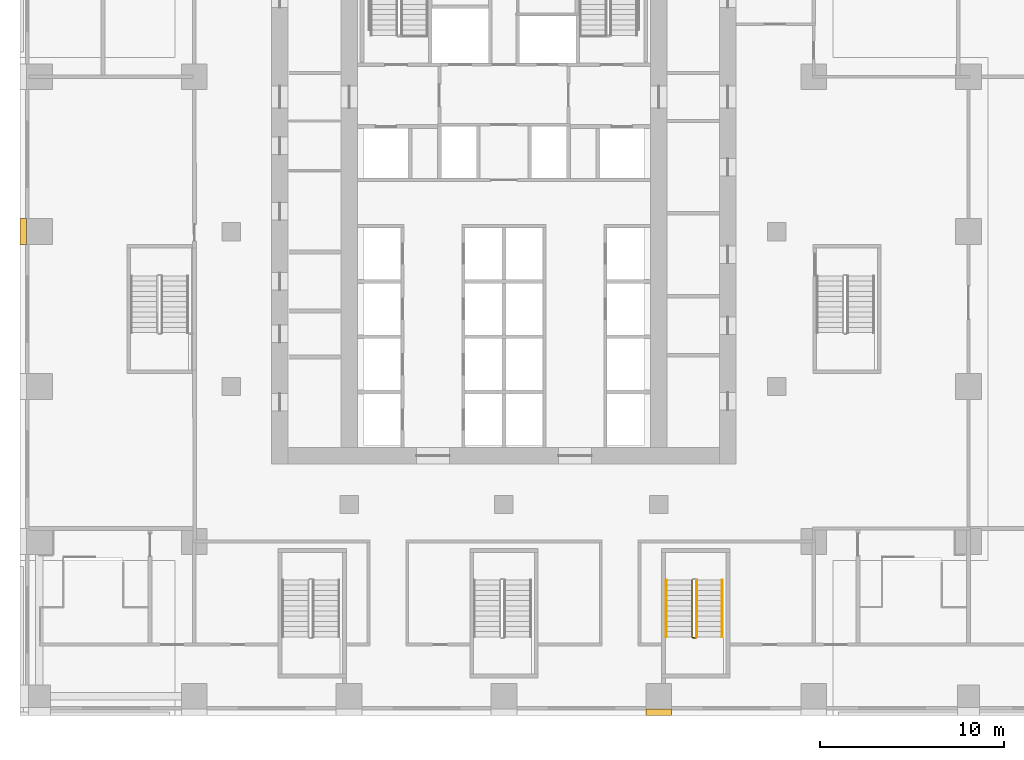
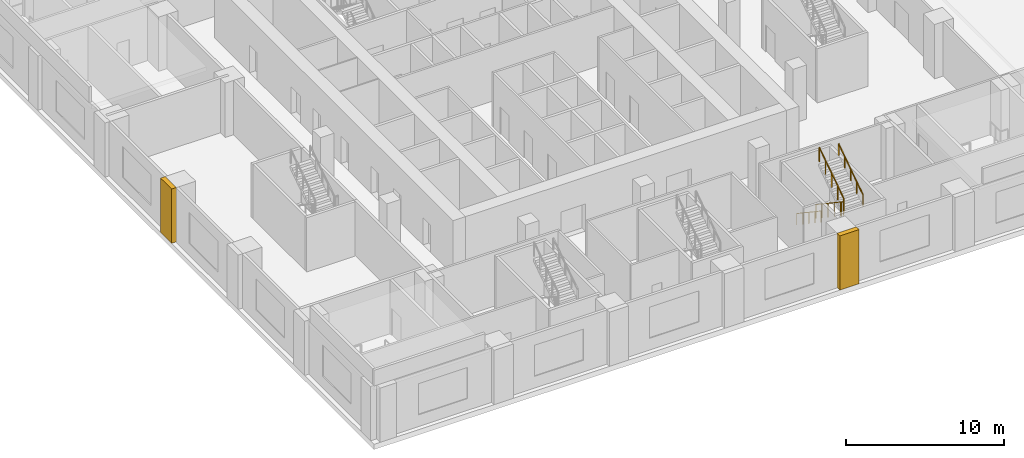
# One storey, part 12 of 16: 4 railings, 2 coverings.
"""IFC4 building model written with IfcOpenShell, lengths in metres."""

from ifc_helpers import new_model, si_unit, direction, frame, origin, origin_2d, place, context, subcontext, project, spatial, polyline, rectangle, outline, extrude, material, type_object, element, save


model = new_model("IFC4")

# Units and contexts
model_context = context("Model", 3, precision=1e-05, world=origin(), true_north=direction((0.0, 1.0)))
body_context = subcontext(model_context, "Body", "Model", "MODEL_VIEW")
ifc_project = project(units=[si_unit("LENGTHUNIT", "METRE"), si_unit("AREAUNIT", "SQUARE_METRE"), si_unit("VOLUMEUNIT", "CUBIC_METRE"), si_unit("PLANEANGLEUNIT", "RADIAN"), si_unit("MASSUNIT", "GRAM", prefix="KILO")], contexts=[model_context])

# Site, building, storey
site_placement = place(None, origin())
site = spatial("IfcSite", under=ifc_project, at=site_placement, CompositionType="ELEMENT")
building_placement = place(site_placement, origin())
building = spatial("IfcBuilding", under=site, at=building_placement, Name="Vermilion Ogive Tower", CompositionType="ELEMENT")
storey_placement = place(building_placement, frame((0.0, 0.0, 30.0)))
storey = spatial("IfcBuildingStorey", under=building, at=storey_placement, Name="L05", CompositionType="ELEMENT", Elevation=30.0)

# Railings
ifc_material_1 = material(Name="Steel S355 painted", Category="steel")
railing_type_1 = type_object("IfcRailingType", Name="Stair guard 1100", PredefinedType="GUARDRAIL", material=ifc_material_1)
railing_1_placement = place(storey_placement, frame((10.199951171875, -14.699951171875, 0.1875)))
element("IfcRailing", 1, at=railing_1_placement, inside=storey, type_object=railing_type_1, Name="L05 ST5 stair guard 1", PredefinedType="GUARDRAIL", context=body_context, shape_type="SweptSolid", body=[
    extrude(rectangle(XDim=0.048095703125, YDim=0.048095703125, at=origin_2d()), frame((0.0, 0.0, 1.076171875), z_axis=(0.0, -0.830913701846, 0.55640131208), x_axis=(1.0, 0.0, 0.0)), (0.0, 0.0, 1.0), 3.706787109375),
    extrude(rectangle(XDim=0.048095703125, YDim=0.048095703125, at=origin_2d()), frame((0.0, -3.080078125, 3.138671875), z_axis=(0.707106781187, -0.707106781187, 0.0), x_axis=(0.707106781187, 0.707106781187, 0.0)), (0.0, 0.0, 1.0), 0.07080078125),
    extrude(rectangle(XDim=0.048095703125, YDim=0.048095703125, at=origin_2d()), frame((0.050048828125, -3.130126953125, 3.138671875), z_axis=(1.0, 0.0, 0.0), x_axis=(0.0, 1.0, 0.0)), (0.0, 0.0, 1.0), 0.14990234375),
    extrude(rectangle(XDim=0.0419921875, YDim=0.0419921875, at=origin_2d()), origin(), (0.0, 0.0, 1.0), 1.052001953125),
    extrude(rectangle(XDim=0.0419921875, YDim=0.0419921875, at=origin_2d()), frame((0.0, -0.77001953125, 0.515625)), (0.0, 0.0, 1.0), 1.052001953125),
    extrude(rectangle(XDim=0.0419921875, YDim=0.0419921875, at=origin_2d()), frame((0.0, -1.5400390625, 1.03125)), (0.0, 0.0, 1.0), 1.052001953125),
    extrude(rectangle(XDim=0.0419921875, YDim=0.0419921875, at=origin_2d()), frame((0.0, -2.31005859375, 1.546875)), (0.0, 0.0, 1.0), 1.052001953125),
    extrude(rectangle(XDim=0.0419921875, YDim=0.0419921875, at=origin_2d()), frame((0.0, -3.080078125, 2.0625)), (0.0, 0.0, 1.0), 1.052001953125),
    extrude(rectangle(XDim=0.0419921875, YDim=0.0419921875, at=origin_2d()), frame((0.050048828125, -3.130126953125, 2.0625)), (0.0, 0.0, 1.0), 1.052001953125),
    extrude(rectangle(XDim=0.0419921875, YDim=0.0419921875, at=origin_2d()), frame((0.199951171875, -3.130126953125, 2.0625)), (0.0, 0.0, 1.0), 1.052001953125),
])
railing_2_placement = place(storey_placement, frame((10.449951171875, -17.780029296875, 2.4375)))
element("IfcRailing", 2, at=railing_2_placement, inside=storey, type_object=railing_type_1, Name="L05 ST5 stair guard 3", PredefinedType="GUARDRAIL", context=body_context, shape_type="SweptSolid", body=[
    extrude(rectangle(XDim=0.048095703125, YDim=0.048095703125, at=origin_2d()), frame((0.0, 0.0, 1.076171875), z_axis=(0.0, 0.830913701846, 0.55640131208), x_axis=(-1.0, 0.0, 0.0)), (0.0, 0.0, 1.0), 3.706787109375),
    extrude(rectangle(XDim=0.0419921875, YDim=0.0419921875, at=origin_2d()), origin(), (0.0, 0.0, 1.0), 1.052001953125),
    extrude(rectangle(XDim=0.0419921875, YDim=0.0419921875, at=origin_2d()), frame((0.0, 0.77001953125, 0.515625)), (0.0, 0.0, 1.0), 1.052001953125),
    extrude(rectangle(XDim=0.0419921875, YDim=0.0419921875, at=origin_2d()), frame((0.0, 1.5400390625, 1.03125)), (0.0, 0.0, 1.0), 1.052001953125),
    extrude(rectangle(XDim=0.0419921875, YDim=0.0419921875, at=origin_2d()), frame((0.0, 2.31005859375, 1.546875)), (0.0, 0.0, 1.0), 1.052001953125),
    extrude(rectangle(XDim=0.0419921875, YDim=0.0419921875, at=origin_2d()), frame((0.0, 3.080078125, 2.0625)), (0.0, 0.0, 1.0), 1.052001953125),
])
ifc_material_2 = material(Name="Stainless steel", Category="steel")
railing_type_2 = type_object("IfcRailingType", Name="Stair handrail 900", PredefinedType="HANDRAIL", material=ifc_material_2)
railing_3_placement = place(storey_placement, frame((8.800048828125, -14.699951171875, 0.1875)))
element("IfcRailing", 3, at=railing_3_placement, inside=storey, type_object=railing_type_2, Name="L05 ST5 stair handrail 1", PredefinedType="HANDRAIL", context=body_context, shape_type="SweptSolid", body=[
    extrude(rectangle(XDim=0.048095703125, YDim=0.048095703125, at=origin_2d()), frame((0.0, 0.0, 0.8759765625), z_axis=(0.0, -0.830913701846, 0.55640131208), x_axis=(1.0, 0.0, 0.0)), (0.0, 0.0, 1.0), 3.706787109375),
    extrude(rectangle(XDim=0.0419921875, YDim=0.0419921875, at=origin_2d()), origin(), (0.0, 0.0, 1.0), 0.851806640625),
    extrude(rectangle(XDim=0.0419921875, YDim=0.0419921875, at=origin_2d()), frame((0.0, -0.77001953125, 0.515625)), (0.0, 0.0, 1.0), 0.851806640625),
    extrude(rectangle(XDim=0.0419921875, YDim=0.0419921875, at=origin_2d()), frame((0.0, -1.5400390625, 1.03125)), (0.0, 0.0, 1.0), 0.851806640625),
    extrude(rectangle(XDim=0.0419921875, YDim=0.0419921875, at=origin_2d()), frame((0.0, -2.31005859375, 1.546875)), (0.0, 0.0, 1.0), 0.851806640625),
    extrude(rectangle(XDim=0.0419921875, YDim=0.0419921875, at=origin_2d()), frame((0.0, -3.080078125, 2.0625)), (0.0, 0.0, 1.0), 0.851806640625),
])
railing_4_placement = place(storey_placement, frame((11.85009765625, -17.780029296875, 2.4375)))
element("IfcRailing", 4, at=railing_4_placement, inside=storey, type_object=railing_type_2, Name="L05 ST5 stair handrail 2", PredefinedType="HANDRAIL", context=body_context, shape_type="SweptSolid", body=[
    extrude(rectangle(XDim=0.048095703125, YDim=0.048095703125, at=origin_2d()), frame((0.0, 0.0, 0.8759765625), z_axis=(0.0, 0.830913701846, 0.55640131208), x_axis=(-1.0, 0.0, 0.0)), (0.0, 0.0, 1.0), 3.706787109375),
    extrude(rectangle(XDim=0.0419921875, YDim=0.0419921875, at=origin_2d()), origin(), (0.0, 0.0, 1.0), 0.851806640625),
    extrude(rectangle(XDim=0.0419921875, YDim=0.0419921875, at=origin_2d()), frame((0.0, 0.77001953125, 0.515625)), (0.0, 0.0, 1.0), 0.851806640625),
    extrude(rectangle(XDim=0.0419921875, YDim=0.0419921875, at=origin_2d()), frame((0.0, 1.5400390625, 1.03125)), (0.0, 0.0, 1.0), 0.851806640625),
    extrude(rectangle(XDim=0.0419921875, YDim=0.0419921875, at=origin_2d()), frame((0.0, 2.31005859375, 1.546875)), (0.0, 0.0, 1.0), 0.851806640625),
    extrude(rectangle(XDim=0.0419921875, YDim=0.0419921875, at=origin_2d()), frame((0.0, 3.080078125, 2.0625)), (0.0, 0.0, 1.0), 0.851806640625),
])

# Coverings
ifc_material_3 = material(Name="Stone cladding", Category="masonry")
covering_type = type_object("IfcCoveringType", Name="Stone pier", PredefinedType="CLADDING", material=ifc_material_3)
covering_1_placement = place(storey_placement, origin())
element("IfcCovering", 5, at=covering_1_placement, inside=storey, type_object=covering_type, Name="Stone pier P+084-210", PredefinedType="CLADDING", context=body_context, shape_type="SweptSolid", body=[
    extrude(outline(polyline([(9.10009765625, -21.699951171875), (9.10009765625, -21.699951171875), (9.10009765625, -22.050048828125), (7.699951171875, -22.050048828125), (7.699951171875, -21.699951171875), (7.699951171875, -21.699951171875), (9.10009765625, -21.699951171875)])), origin(), (0.0, 0.0, 1.0), 4.179931640625),
])
covering_2_placement = place(storey_placement, origin())
element("IfcCovering", 6, at=covering_2_placement, inside=storey, type_object=covering_type, Name="Stone pier P-252+042", PredefinedType="CLADDING", context=body_context, shape_type="SweptSolid", body=[
    extrude(outline(polyline([(-26.25, 3.5), (-26.25, 4.89990234375), (-25.89990234375, 4.89990234375), (-25.89990234375, 3.5), (-26.25, 3.5)])), origin(), (0.0, 0.0, 1.0), 4.179931640625),
])

save(model, "model.ifc")
